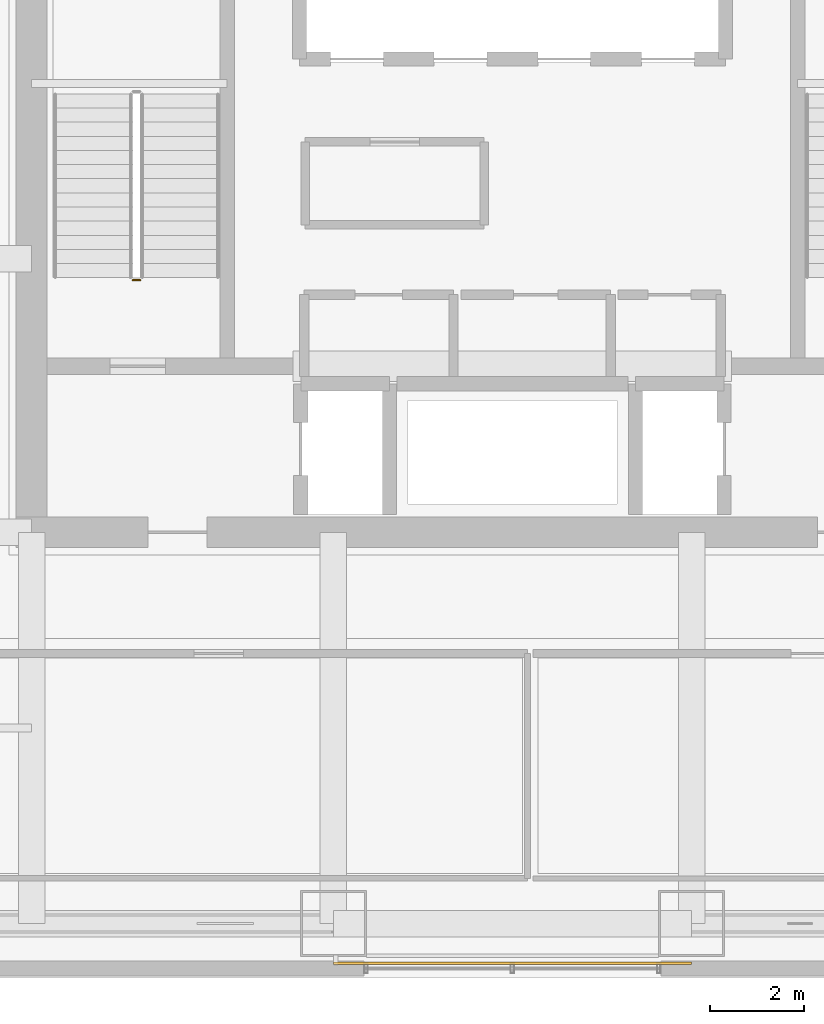
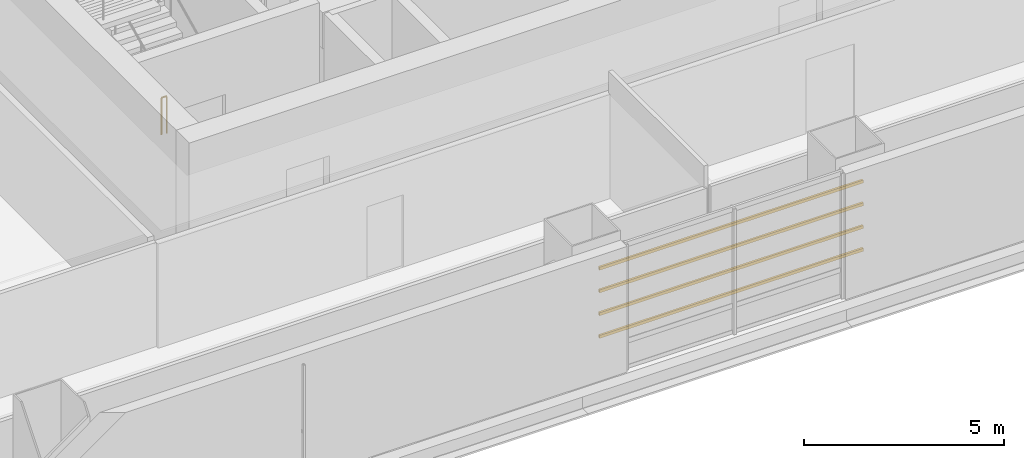
# One storey, part 21 of 32: 4 shading devices, 1 railing.
"""IFC4 building model written with IfcOpenShell, lengths in metres."""

from ifc_helpers import new_model, si_unit, direction, frame, origin, origin_2d, place, context, subcontext, project, spatial, hollow_rectangle, circle, extrude, material, material_profile, profile_set, type_object, element, save


model = new_model("IFC4")

# Units and contexts
model_context = context("Model", 3, precision=1e-05, world=origin(), true_north=direction((0.0, 1.0)))
body_context = subcontext(model_context, "Body", "Model", "MODEL_VIEW")
ifc_project = project(units=[si_unit("LENGTHUNIT", "METRE"), si_unit("AREAUNIT", "SQUARE_METRE"), si_unit("VOLUMEUNIT", "CUBIC_METRE"), si_unit("PLANEANGLEUNIT", "RADIAN"), si_unit("MASSUNIT", "GRAM", prefix="KILO")], contexts=[model_context])

# Site, building, storey
site_placement = place(None, origin())
site = spatial("IfcSite", under=ifc_project, at=site_placement, CompositionType="ELEMENT")
building_placement = place(site_placement, origin())
building = spatial("IfcBuilding", under=site, at=building_placement, Name="Punatoya Terracotta Tower", CompositionType="ELEMENT")
storey_placement = place(building_placement, frame((0.0, 0.0, 139.800048828125)))
storey = spatial("IfcBuildingStorey", under=building, at=storey_placement, Name="L32", CompositionType="ELEMENT", Elevation=139.800048828125)

# Railing
ifc_material_1 = material(Name="Steel S355", Category="steel")
railing_type = type_object("IfcRailingType", Name="RLG-GRD-1150", PredefinedType="GUARDRAIL", material=ifc_material_1)
railing_placement = place(storey_placement, frame((-7.89990234375, -3.85009765625, 0.0)))
element("IfcRailing", 1, at=railing_placement, inside=storey, type_object=railing_type, Name="L32 ST-1 stair guard 4", PredefinedType="GUARDRAIL", context=body_context, shape_type="SweptSolid", body=[
    extrude(circle(Radius=0.02392578125, at=origin_2d()), frame((0.0, 0.0, 1.1259765625), z_axis=(-1.0, 0.0, 0.0), x_axis=(0.0, -1.0, 0.0)), (0.0, 0.0, 1.0), 0.150146484375),
    extrude(circle(Radius=0.02099609375, at=origin_2d()), origin(), (0.0, 0.0, 1.0), 1.101806640625),
    extrude(circle(Radius=0.02099609375, at=origin_2d()), frame((-0.150146484375, 0.0, 0.0)), (0.0, 0.0, 1.0), 1.101806640625),
])

# Shading devices
ifc_material_2 = material(Name="Architectural Fired Terracotta", Category="masonry")
ifc_material_profile = material_profile(ifc_material_2, hollow_rectangle(XDim=0.06005859375, YDim=0.090087890625, WallThickness=0.013916015625, at=origin_2d()))
ifc_profile_set = profile_set([ifc_material_profile], Name="Architectural Fired Terracotta")
shading_device_type = type_object("IfcShadingDeviceType", Name="SHD-JALI-90", PredefinedType="JALOUSIE", material=ifc_profile_set)
for number, where, z_axis, x_axis, name in (
    (2, (-3.800048828125, -18.340087890625, 1.14990234375), (1.0, 0.0, 0.0), (0.0, 1.0, 0.0), "L32 Fired Terracotta Baguette Louvre BAG-L32-S-01"),
    (3, (-3.800048828125, -18.340087890625, 1.84326171875), (1.0, 0.0, 0.0), (0.0, 1.0, 0.0), "L32 Fired Terracotta Baguette Louvre BAG-L32-S-02"),
    (4, (-3.800048828125, -18.340087890625, 2.53662109375), (1.0, 0.0, 0.0), (0.0, 1.0, 0.0), "L32 Fired Terracotta Baguette Louvre BAG-L32-S-03"),
    (5, (-3.800048828125, -18.340087890625, 3.22998046875), (1.0, 0.0, 0.0), (0.0, 1.0, 0.0), "L32 Fired Terracotta Baguette Louvre BAG-L32-S-04"),
):
    element("IfcShadingDevice", number, at=place(storey_placement, frame(where, z_axis=z_axis, x_axis=x_axis)), inside=storey, type_object=shading_device_type, Name=name, PredefinedType="JALOUSIE", context=body_context, shape_type="SweptSolid", body=[
        extrude(hollow_rectangle(XDim=0.06005859375, YDim=0.090087890625, WallThickness=0.013916015625, at=origin_2d()), origin(), (0.0, 0.0, 1.0), 7.60009765625),
    ])

save(model, "model.ifc")
